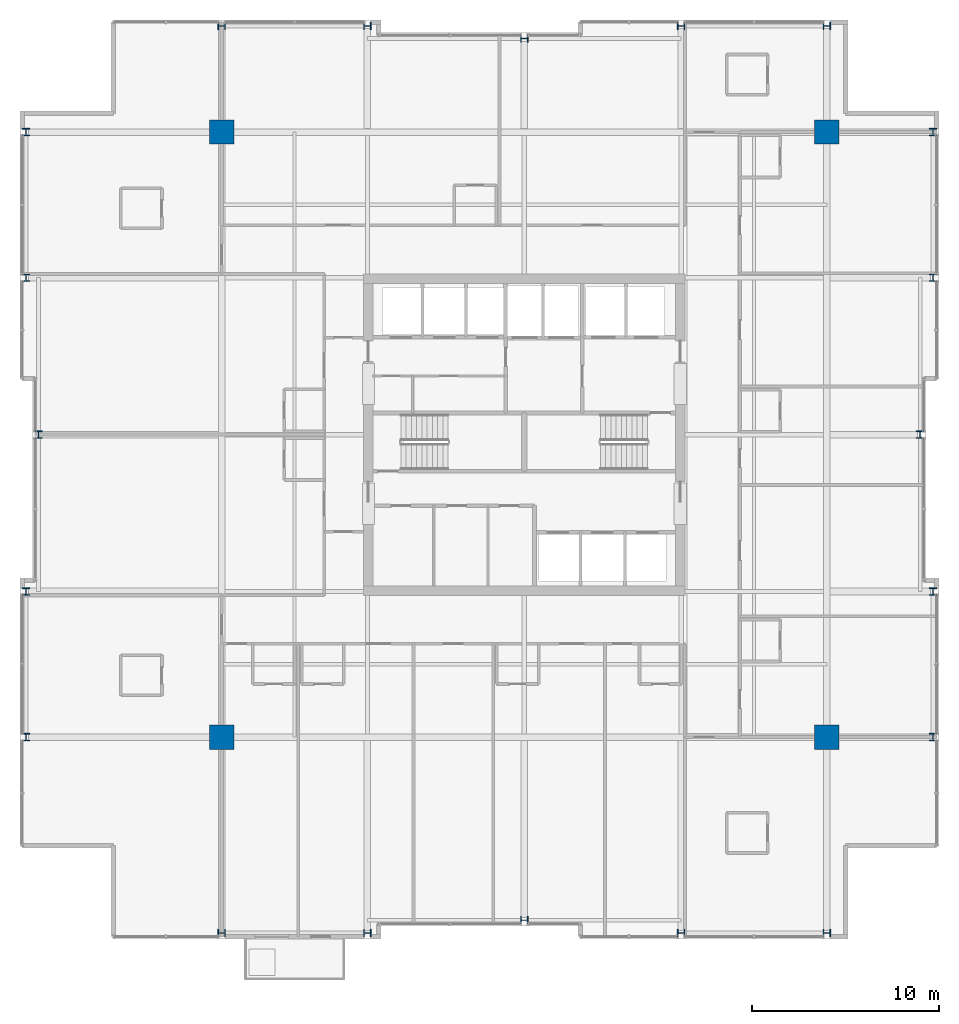
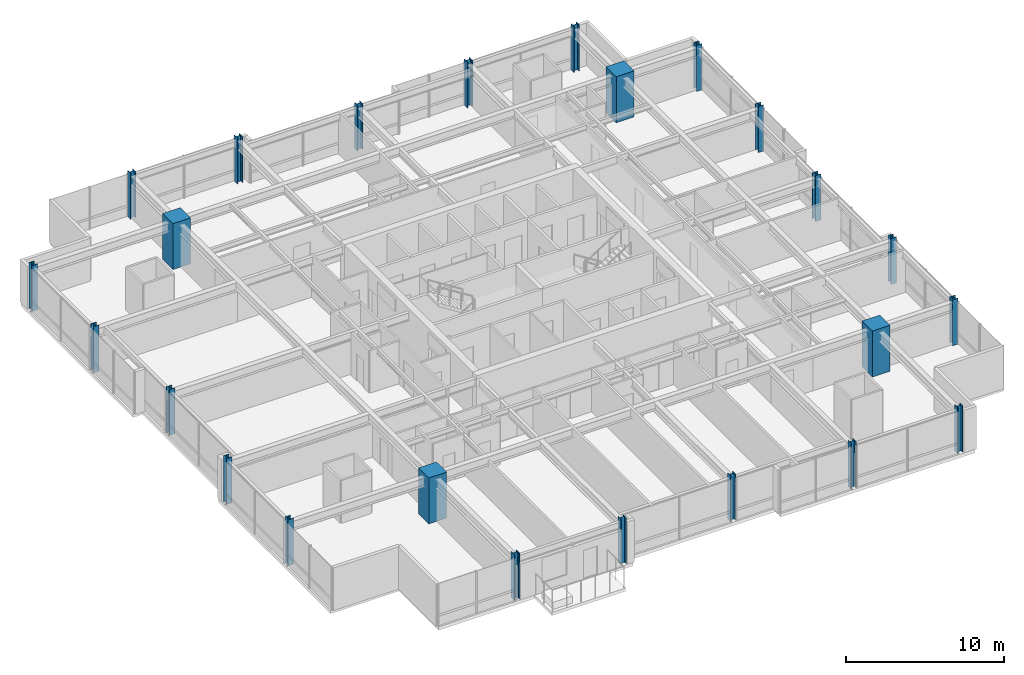
# One storey, part 1 of 32: 24 columns.
"""IFC4 building model written with IfcOpenShell, lengths in metres."""

from ifc_helpers import new_model, si_unit, direction, frame, origin, origin_2d, place, context, subcontext, project, spatial, rectangle, i_section, extrude, material, material_profile, profile_set, type_object, element, save


model = new_model("IFC4")

# Units and contexts
model_context = context("Model", 3, precision=1e-05, world=origin(), true_north=direction((0.0, 1.0)))
body_context = subcontext(model_context, "Body", "Model", "MODEL_VIEW")
ifc_project = project(units=[si_unit("LENGTHUNIT", "METRE"), si_unit("AREAUNIT", "SQUARE_METRE"), si_unit("VOLUMEUNIT", "CUBIC_METRE"), si_unit("PLANEANGLEUNIT", "RADIAN"), si_unit("MASSUNIT", "GRAM", prefix="KILO")], contexts=[model_context])

# Site, building, storey
site_placement = place(None, origin())
site = spatial("IfcSite", under=ifc_project, at=site_placement, CompositionType="ELEMENT")
building_placement = place(site_placement, origin())
building = spatial("IfcBuilding", under=site, at=building_placement, Name="Drelvath Grand Hotel", CompositionType="ELEMENT")
storey_placement = place(building_placement, frame((0.0, 0.0, 193.0)))
storey = spatial("IfcBuildingStorey", under=building, at=storey_placement, Name="L50", CompositionType="ELEMENT", Elevation=193.0)

# Columns
ifc_material_1 = material(Name="Concrete f'c 55 MPa", Category="concrete")
ifc_material_profile_1 = material_profile(ifc_material_1, rectangle(XDim=1.300048828125, YDim=1.300048828125, at=origin_2d()), Name="MC1300X1300")
ifc_profile_set_1 = profile_set([ifc_material_profile_1], Name="Concrete f'c 55 MPa")
column_type_1 = type_object("IfcColumnType", Name="Composite Mega Column MC1300X1300", PredefinedType="COLUMN", material=ifc_profile_set_1)
for number, where, z_axis, x_axis, name in (
    (1, (-16.199951171875, 10.800048828125, 0.0), (0.0, 0.0, 1.0), (1.0, 0.0, 0.0), "L50 Composite Mega Column MC-SW"),
    (2, (16.199951171875, 10.800048828125, 0.0), (0.0, 0.0, 1.0), (1.0, 0.0, 0.0), "L50 Composite Mega Column MC-SE"),
    (3, (-16.199951171875, 43.199951171875, 0.0), (0.0, 0.0, 1.0), (1.0, 0.0, 0.0), "L50 Composite Mega Column MC-NW"),
    (4, (16.199951171875, 43.199951171875, 0.0), (0.0, 0.0, 1.0), (1.0, 0.0, 0.0), "L50 Composite Mega Column MC-NE"),
):
    element("IfcColumn", number, at=place(storey_placement, frame(where, z_axis=z_axis, x_axis=x_axis)), inside=storey, type_object=column_type_1, Name=name, PredefinedType="COLUMN", context=body_context, shape_type="SweptSolid", body=[
        extrude(rectangle(XDim=1.300048828125, YDim=1.300048828125, at=origin_2d()), origin(), (0.0, 0.0, 1.0), 3.550048828125),
    ])
ifc_material_2 = material(Name="Steel ASTM A913 Gr 65", Category="steel")
ifc_material_profile_2 = material_profile(ifc_material_2, i_section(OverallWidth=0.4013671875, OverallDepth=0.3994140625, WebThickness=0.02490234375, FlangeThickness=0.03955078125, FilletRadius=0.02490234375, at=origin_2d()), Name="W14X211")
ifc_profile_set_2 = profile_set([ifc_material_profile_2], Name="Steel ASTM A913 Gr 65")
column_type_2 = type_object("IfcColumnType", Name="Perimeter Steel Column W14X211", PredefinedType="COLUMN", material=ifc_profile_set_2)
for number, where, z_axis, x_axis, name in (
    (5, (-26.679931640625, 10.800048828125, 0.0), (0.0, 0.0, 1.0), (1.0, 0.0, 0.0), "L50 Structural Column TCW-C"),
    (6, (21.8798828125, 10.800048828125, 0.0), (0.0, 0.0, 1.0), (1.0, 0.0, 0.0), "L50 Structural Column TCE-C"),
    (7, (-26.679931640625, 18.60009765625, 0.0), (0.0, 0.0, 1.0), (1.0, 0.0, 0.0), "L50 Structural Column TCW-D"),
    (8, (21.8798828125, 18.60009765625, 0.0), (0.0, 0.0, 1.0), (1.0, 0.0, 0.0), "L50 Structural Column TCE-D"),
    (9, (-26.0, 27.0, 0.0), (0.0, 0.0, 1.0), (1.0, 0.0, 0.0), "L50 Structural Column TCW-E"),
    (10, (21.199951171875, 27.0, 0.0), (0.0, 0.0, 1.0), (1.0, 0.0, 0.0), "L50 Structural Column TCE-E"),
    (11, (-26.679931640625, 35.39990234375, 0.0), (0.0, 0.0, 1.0), (1.0, 0.0, 0.0), "L50 Structural Column TCW-F"),
    (12, (21.8798828125, 35.39990234375, 0.0), (0.0, 0.0, 1.0), (1.0, 0.0, 0.0), "L50 Structural Column TCE-F"),
    (13, (-26.679931640625, 43.199951171875, 0.0), (0.0, 0.0, 1.0), (1.0, 0.0, 0.0), "L50 Structural Column TCW-G"),
    (14, (21.8798828125, 43.199951171875, 0.0), (0.0, 0.0, 1.0), (1.0, 0.0, 0.0), "L50 Structural Column TCE-G"),
    (15, (-16.199951171875, 0.320068359375, 0.0), (0.0, 0.0, 1.0), (0.0, 1.0, 0.0), "L50 Structural Column TCS-3"),
    (16, (-16.199951171875, 48.8798828125, 0.0), (0.0, 0.0, 1.0), (0.0, 1.0, 0.0), "L50 Structural Column TCN-3"),
    (17, (-8.39990234375, 0.320068359375, 0.0), (0.0, 0.0, 1.0), (0.0, 1.0, 0.0), "L50 Structural Column TCS-4"),
    (18, (-8.39990234375, 48.8798828125, 0.0), (0.0, 0.0, 1.0), (0.0, 1.0, 0.0), "L50 Structural Column TCN-4"),
    (19, (0.0, 1.0, 0.0), (0.0, 0.0, 1.0), (0.0, 1.0, 0.0), "L50 Structural Column TCS-5"),
    (20, (0.0, 48.199951171875, 0.0), (0.0, 0.0, 1.0), (0.0, 1.0, 0.0), "L50 Structural Column TCN-5"),
    (21, (8.39990234375, 0.320068359375, 0.0), (0.0, 0.0, 1.0), (0.0, 1.0, 0.0), "L50 Structural Column TCS-6"),
    (22, (8.39990234375, 48.8798828125, 0.0), (0.0, 0.0, 1.0), (0.0, 1.0, 0.0), "L50 Structural Column TCN-6"),
    (23, (16.199951171875, 0.320068359375, 0.0), (0.0, 0.0, 1.0), (0.0, 1.0, 0.0), "L50 Structural Column TCS-7"),
    (24, (16.199951171875, 48.8798828125, 0.0), (0.0, 0.0, 1.0), (0.0, 1.0, 0.0), "L50 Structural Column TCN-7"),
):
    element("IfcColumn", number, at=place(storey_placement, frame(where, z_axis=z_axis, x_axis=x_axis)), inside=storey, type_object=column_type_2, Name=name, PredefinedType="COLUMN", context=body_context, shape_type="SweptSolid", body=[
        extrude(i_section(OverallWidth=0.4013671875, OverallDepth=0.3994140625, WebThickness=0.02490234375, FlangeThickness=0.03955078125, FilletRadius=0.02490234375, at=origin_2d()), origin(), (0.0, 0.0, 1.0), 3.547119140625),
    ])

save(model, "model.ifc")
